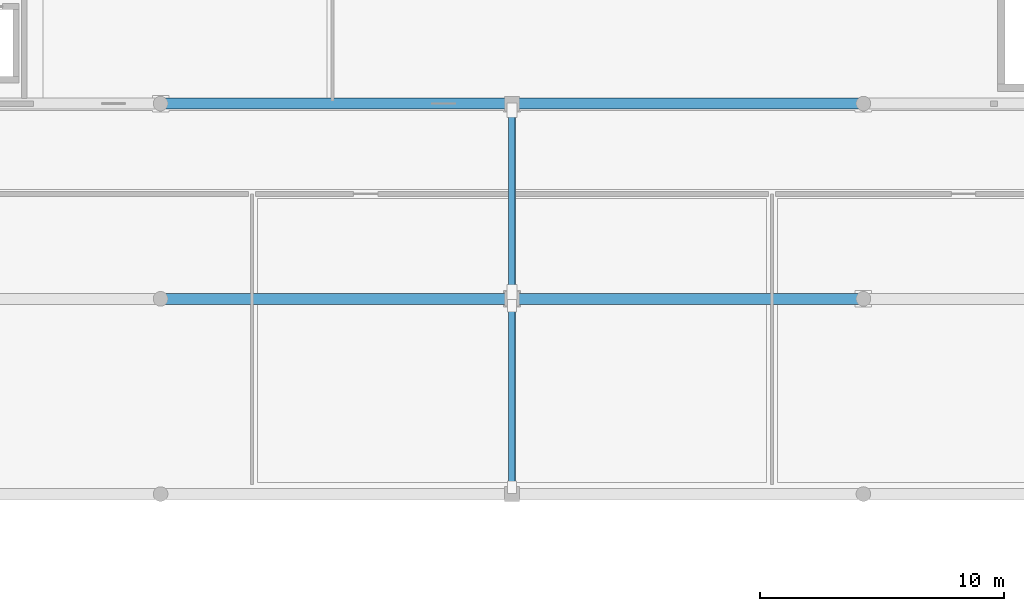
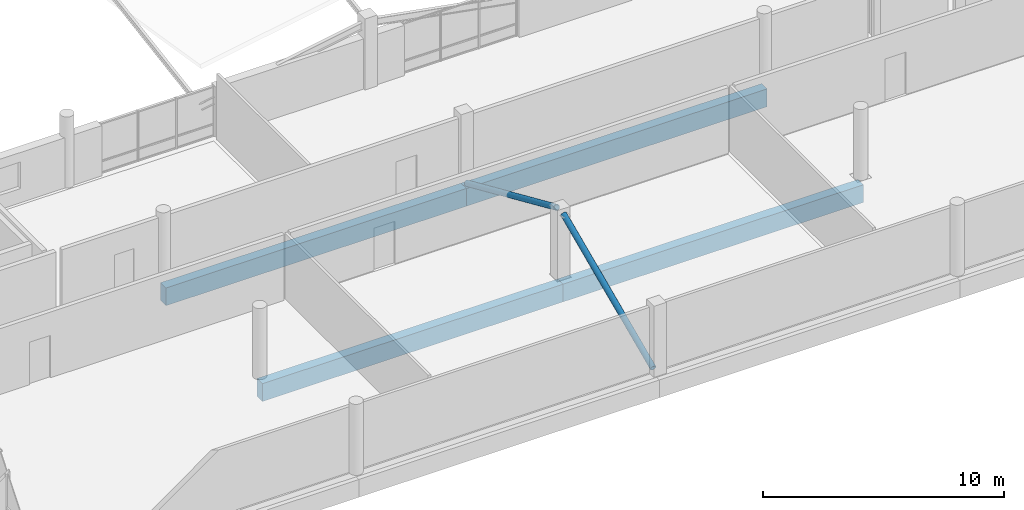
# One storey, part 81 of 189: 4 beams, 2 members.
"""IFC4 building model written with IfcOpenShell, lengths in metres."""

from ifc_helpers import new_model, si_unit, direction, frame, origin, origin_2d, place, context, subcontext, project, spatial, rectangle, hollow_circle, extrude, material, material_profile, profile_set, type_object, element, save


model = new_model("IFC4")

# Units and contexts
model_context = context("Model", 3, precision=1e-05, world=origin(), true_north=direction((0.0, 1.0)))
body_context = subcontext(model_context, "Body", "Model", "MODEL_VIEW")
ifc_project = project(units=[si_unit("LENGTHUNIT", "METRE"), si_unit("AREAUNIT", "SQUARE_METRE"), si_unit("VOLUMEUNIT", "CUBIC_METRE"), si_unit("PLANEANGLEUNIT", "RADIAN"), si_unit("MASSUNIT", "GRAM", prefix="KILO")], contexts=[model_context])

# Site, building, storey
site_placement = place(None, origin())
site = spatial("IfcSite", under=ifc_project, at=site_placement, CompositionType="ELEMENT")
building_placement = place(site_placement, origin())
building = spatial("IfcBuilding", under=site, at=building_placement, Name="Zavelmont Quarter", CompositionType="ELEMENT")
storey_placement = place(building_placement, frame((0.0, 0.0, 4.39990234375)))
storey = spatial("IfcBuildingStorey", under=building, at=storey_placement, Name="L01", CompositionType="ELEMENT", Elevation=4.39990234375)

# Beams
ifc_material_1 = material(Name="Concrete C40/50", Category="concrete")
ifc_material_profile_1 = material_profile(ifc_material_1, rectangle(XDim=0.449951171875, YDim=0.89990234375, at=origin_2d()), Name="RC450X900")
ifc_profile_set_1 = profile_set([ifc_material_profile_1], Name="Concrete C40/50")
beam_type = type_object("IfcBeamType", Name="BM06", PredefinedType="BEAM", material=ifc_profile_set_1)
for number, where, z_axis, x_axis, name in (
    (1, (69.60009765625, 70.0, -0.72998046875), (1.0, 0.0, 0.0), (0.0, 1.0, 0.0), "L01 beam BM06 11/L to 13/L"),
    (2, (84.0, 70.0, -0.72998046875), (1.0, 0.0, 0.0), (0.0, 1.0, 0.0), "L01 beam BM06 13/L to 15/L"),
    (3, (69.60009765625, 78.0, -0.72998046875), (1.0, 0.0, 0.0), (0.0, 1.0, 0.0), "L01 beam BM06 11/M to 13/M"),
    (4, (84.0, 78.0, -0.72998046875), (1.0, 0.0, 0.0), (0.0, 1.0, 0.0), "L01 beam BM06 13/M to 15/M"),
):
    element("IfcBeam", number, at=place(storey_placement, frame(where, z_axis=z_axis, x_axis=x_axis)), inside=storey, type_object=beam_type, Name=name, PredefinedType="BEAM", context=body_context, shape_type="SweptSolid", body=[
        extrude(rectangle(XDim=0.449951171875, YDim=0.89990234375, at=origin_2d()), origin(), (0.0, 0.0, 1.0), 14.39990234375),
    ])

# Members
ifc_material_2 = material(Name="Steel S355", Category="steel")
ifc_material_profile_2 = material_profile(ifc_material_2, hollow_circle(Radius=0.136474609375, WallThickness=0.012451171875, at=origin_2d()), Name="CHS 273X12.5")
ifc_profile_set_2 = profile_set([ifc_material_profile_2], Name="Steel S355")
member_type = type_object("IfcMemberType", Name="BR01", PredefinedType="BRACE", material=ifc_profile_set_2)
for number, where, z_axis, x_axis, name in (
    (5, (84.0, 62.280029296875, 0.02001953125), (0.0, 0.914567360665, 0.404433607414), (-1.0, 0.0, 0.0), "L01 member BR01 13/K to 13/L"),
    (6, (84.0, 70.280029296875, 3.31005859375), (0.0, 0.914567360665, -0.404433607414), (-1.0, 0.0, 0.0), "L01 member BR01 13/L to 13/M"),
):
    element("IfcMember", number, at=place(storey_placement, frame(where, z_axis=z_axis, x_axis=x_axis)), inside=storey, type_object=member_type, Name=name, PredefinedType="BRACE", context=body_context, shape_type="SweptSolid", body=[
        extrude(hollow_circle(Radius=0.136474609375, WallThickness=0.012451171875, at=origin_2d()), origin(), (0.0, 0.0, 1.0), 8.135009765625),
    ])

save(model, "model.ifc")
